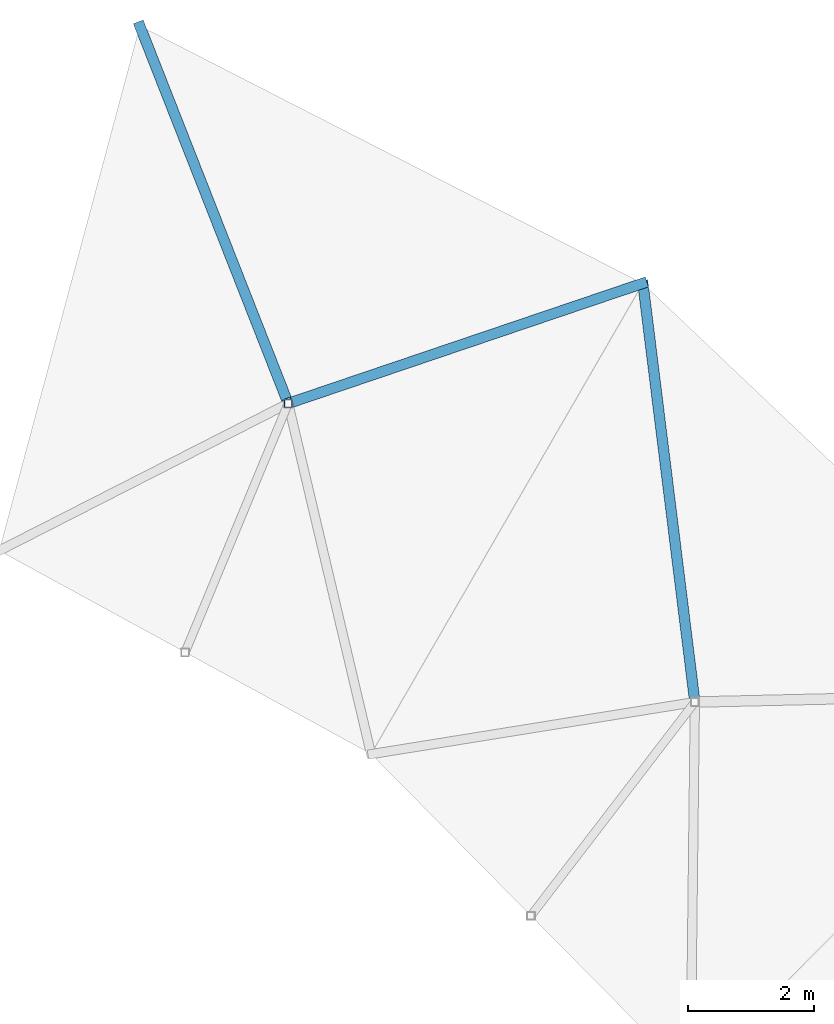
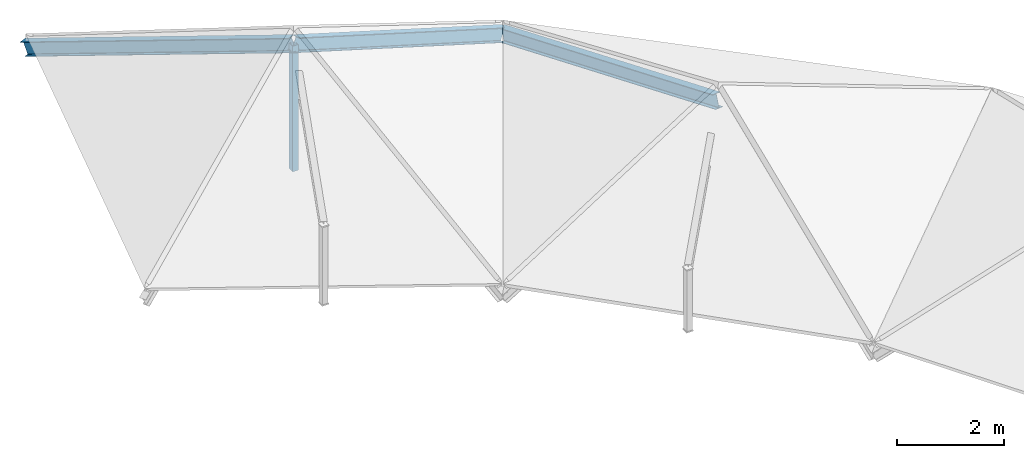
# One storey, part 18 of 28: 4 members.
"""IFC4 building model written with IfcOpenShell, lengths in metres."""

from ifc_helpers import new_model, si_unit, direction, frame, origin, origin_2d, place, context, subcontext, project, spatial, hollow_rectangle, i_section, extrude, material, material_profile, profile_set, type_object, element, save


model = new_model("IFC4")

# Units and contexts
model_context = context("Model", 3, precision=1e-05, world=origin(), true_north=direction((0.0, 1.0)))
body_context = subcontext(model_context, "Body", "Model", "MODEL_VIEW")
ifc_project = project(units=[si_unit("LENGTHUNIT", "METRE"), si_unit("AREAUNIT", "SQUARE_METRE"), si_unit("VOLUMEUNIT", "CUBIC_METRE"), si_unit("PLANEANGLEUNIT", "RADIAN"), si_unit("MASSUNIT", "GRAM", prefix="KILO")], contexts=[model_context])

# Site, building, storey
site_placement = place(None, origin())
site = spatial("IfcSite", under=ifc_project, at=site_placement, CompositionType="ELEMENT")
building_placement = place(site_placement, origin())
building = spatial("IfcBuilding", under=site, at=building_placement, Name="Karori Crest Natural Sciences Institute", CompositionType="ELEMENT")
storey_placement = place(building_placement, frame((0.0, 0.0, 34.300048828125)))
storey = spatial("IfcBuildingStorey", under=building, at=storey_placement, Name="L08", CompositionType="ELEMENT", Elevation=34.300048828125)

# Members
ifc_material_1 = material(Name="Structural steel AS/NZS 3679.1 Grade 350", Category="steel")
ifc_material_profile_1 = material_profile(ifc_material_1, i_section(OverallWidth=0.166015625, OverallDepth=0.306884765625, WebThickness=0.006591796875, FlangeThickness=0.01171875, FilletRadius=0.010986328125, at=origin_2d()), Name="310UB46.2")
ifc_profile_set_1 = profile_set([ifc_material_profile_1], Name="Structural steel AS/NZS 3679.1 Grade 350")
member_type_1 = type_object("IfcMemberType", Name="MT-06", PredefinedType="RAFTER", material=ifc_profile_set_1)
member_1_placement = place(storey_placement, frame((82.89990234375, 85.23388671875, -0.260009765625), z_axis=(0.11699123615, -0.942774936279, 0.3122314369), x_axis=(0.992388330701, 0.123147883001, 0.0)))
element("IfcMember", 1, at=member_1_placement, inside=storey, type_object=member_type_1, Name="Member M-0053", PredefinedType="RAFTER", context=body_context, shape_type="SweptSolid", body=[
    extrude(i_section(OverallWidth=0.166015625, OverallDepth=0.306884765625, WebThickness=0.006591796875, FlangeThickness=0.01171875, FilletRadius=0.010986328125, at=origin_2d()), origin(), (0.0, 0.0, 1.0), 7.0263671875),
])
member_2_placement = place(storey_placement, frame((82.89990234375, 85.23388671875, -0.260009765625), z_axis=(-0.851570120554, -0.288500781422, 0.437716379519), x_axis=(0.320872625054, -0.947122356663, 0.0)))
element("IfcMember", 2, at=member_2_placement, inside=storey, type_object=member_type_1, Name="Member M-0059", PredefinedType="RAFTER", context=body_context, shape_type="SweptSolid", body=[
    extrude(i_section(OverallWidth=0.166015625, OverallDepth=0.306884765625, WebThickness=0.006591796875, FlangeThickness=0.01171875, FilletRadius=0.010986328125, at=origin_2d()), origin(), (0.0, 0.0, 1.0), 6.5888671875),
])
member_3_placement = place(storey_placement, frame((74.94091796875, 89.309814453125, -0.260009765625), z_axis=(0.333570018892, -0.849046333177, 0.409696676354), x_axis=(0.930745485877, 0.365667664032, 0.0)))
element("IfcMember", 3, at=member_3_placement, inside=storey, type_object=member_type_1, Name="Member M-0060", PredefinedType="RAFTER", context=body_context, shape_type="SweptSolid", body=[
    extrude(i_section(OverallWidth=0.166015625, OverallDepth=0.306884765625, WebThickness=0.006591796875, FlangeThickness=0.01171875, FilletRadius=0.010986328125, at=origin_2d()), origin(), (0.0, 0.0, 1.0), 7.03955078125),
])
ifc_material_2 = material(Name="Hollow structural steel AS/NZS 1163 Grade C350", Category="steel")
ifc_material_profile_2 = material_profile(ifc_material_2, hollow_rectangle(XDim=0.125, YDim=0.125, WallThickness=0.006103515625, at=origin_2d()), Name="SHS125x125x6")
ifc_profile_set_2 = profile_set([ifc_material_profile_2], Name="Hollow structural steel AS/NZS 1163 Grade C350")
member_type_2 = type_object("IfcMemberType", Name="MT-20", PredefinedType="STRUT", material=ifc_profile_set_2)
member_4_placement = place(storey_placement, frame((77.2890625, 83.3330078125, -0.2451171875), z_axis=(0.0, 0.0, 1.0), x_axis=(1.0, 0.0, 0.0)))
element("IfcMember", 4, at=member_4_placement, inside=storey, type_object=member_type_2, Name="Member M-0057", PredefinedType="STRUT", context=body_context, shape_type="SweptSolid", body=[
    extrude(hollow_rectangle(XDim=0.125, YDim=0.125, WallThickness=0.006103515625, at=origin_2d()), origin(), (0.0, 0.0, 1.0), 2.869140625),
])

save(model, "model.ifc")
